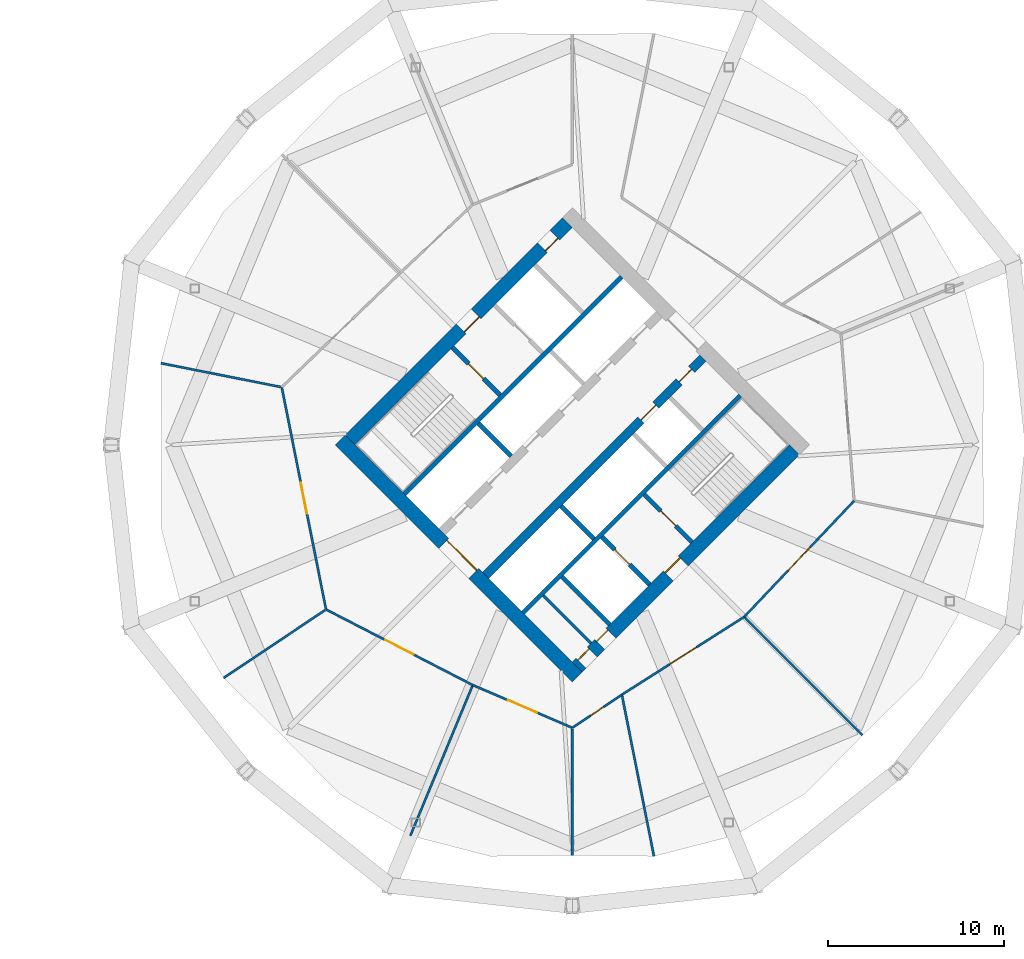
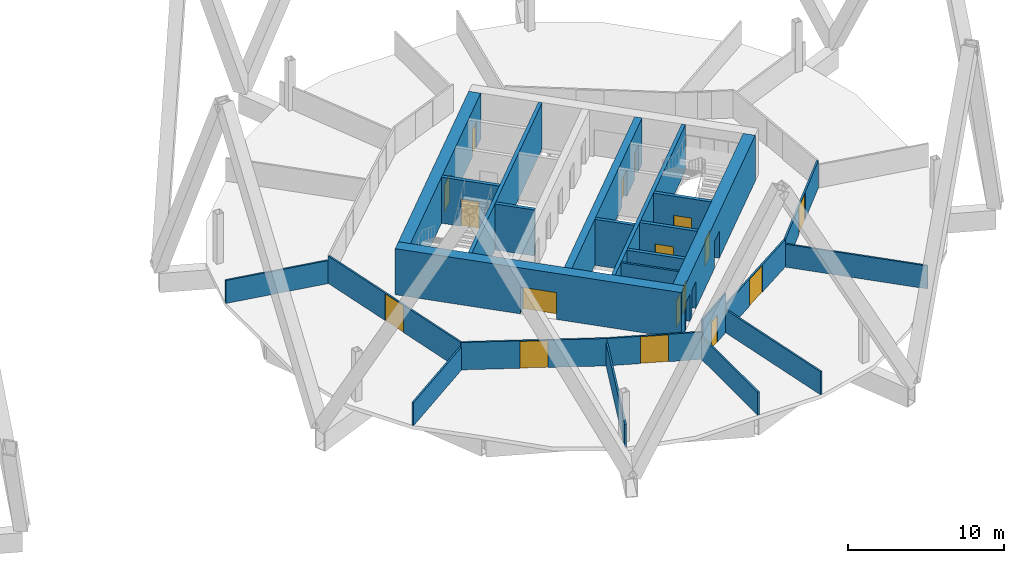
# One storey, part 6 of 9: 25 walls, 17 doors, 17 openings.
"""IFC4 building model written with IfcOpenShell, lengths in metres."""

from ifc_helpers import new_model, si_unit, direction, frame, frame_2d, origin, place, context, subcontext, project, spatial, rectangle, extrude, material, layer, layer_set, type_object, element, fill, save


model = new_model("IFC4")

# Units and contexts
model_context = context("Model", 3, precision=1e-05, world=origin(), true_north=direction((0.0, 1.0)))
body_context = subcontext(model_context, "Body", "Model", "MODEL_VIEW")
ifc_project = project(units=[si_unit("LENGTHUNIT", "METRE"), si_unit("AREAUNIT", "SQUARE_METRE"), si_unit("VOLUMEUNIT", "CUBIC_METRE"), si_unit("PLANEANGLEUNIT", "RADIAN"), si_unit("MASSUNIT", "GRAM", prefix="KILO")], contexts=[model_context])

# Site, building, storey
site_placement = place(None, origin())
site = spatial("IfcSite", under=ifc_project, at=site_placement, CompositionType="ELEMENT")
building_placement = place(site_placement, origin())
building = spatial("IfcBuilding", under=site, at=building_placement, Name="Ogive Gate Towers", CompositionType="ELEMENT")
storey_placement = place(building_placement, frame((0.0, 0.0, 95.699951171875)))
storey = spatial("IfcBuildingStorey", under=building, at=storey_placement, Name="L22", CompositionType="ELEMENT", Elevation=95.699951171875)

# Wall, openings, doors
ifc_material_1 = material(Name="Concrete C60/75", Category="concrete")
ifc_layer_1 = layer(ifc_material_1, 0.800048828125)
ifc_layer_set_1 = layer_set([ifc_layer_1], Name="Core wall 800 mm")
wall_type_1 = type_object("IfcWallType", Name="Core wall 800 mm", PredefinedType="SHEAR", material=ifc_layer_set_1)
wall_1_placement = place(storey_placement, frame((36.28271484375, -12.58642578125, 0.0), z_axis=(0.0, 0.0, 1.0), x_axis=(0.707106781187, 0.707106781187, 0.0)))
wall_1 = element("IfcWall", 1, at=wall_1_placement, inside=storey, type_object=wall_type_1, Name="T2 L22 Core wall 800 mm", PredefinedType="SHEAR", context=body_context, shape_type="SweptSolid", body=[
    extrude(rectangle(XDim=17.400146484375, YDim=0.800048828125, at=frame_2d((8.7001953125, 0.0))), origin(), (0.0, 0.0, 1.0), 3.60009765625),
])
opening_1_placement = place(wall_1_placement, frame((7.300048828125, 0.0, 0.0)))
opening_1 = element("IfcOpeningElement", 2, at=opening_1_placement, cuts=wall_1, Name="Opening KD-T2-L22-16", PredefinedType="OPENING", context=body_context, shape_type="SweptSolid", body=[
    extrude(rectangle(XDim=1.199951171875, YDim=2.10009765625, at=frame_2d((0.60009765625, 1.050048828125))), frame((0.0, 0.41015625, 0.0), z_axis=(0.0, -1.0, 0.0), x_axis=(1.0, 0.0, 0.0)), (0.0, 0.0, 1.0), 0.820068359375),
])
opening_2_placement = place(wall_1_placement, frame((0.300048828125, 0.0, 0.0)))
opening_2 = element("IfcOpeningElement", 3, at=opening_2_placement, cuts=wall_1, Name="Opening KD-T2-L22-18", PredefinedType="OPENING", context=body_context, shape_type="SweptSolid", body=[
    extrude(rectangle(XDim=0.89990234375, YDim=2.10009765625, at=frame_2d((0.449951171875, 1.050048828125))), frame((0.0, 0.41015625, 0.0), z_axis=(0.0, -1.0, 0.0), x_axis=(1.0, 0.0, 0.0)), (0.0, 0.0, 1.0), 0.820068359375),
])
opening_3_placement = place(wall_1_placement, frame((1.800048828125, 0.0, 0.0)))
opening_3 = element("IfcOpeningElement", 4, at=opening_3_placement, cuts=wall_1, Name="Opening KD-T2-L22-19", PredefinedType="OPENING", context=body_context, shape_type="SweptSolid", body=[
    extrude(rectangle(XDim=0.89990234375, YDim=2.10009765625, at=frame_2d((0.449951171875, 1.050048828125))), frame((0.0, 0.41015625, 0.0), z_axis=(0.0, -1.0, 0.0), x_axis=(1.0, 0.0, 0.0)), (0.0, 0.0, 1.0), 0.820068359375),
])
ifc_material_2 = material(Name="Timber door", Category="wood")
door_type_1 = type_object("IfcDoorType", Name="Core WC door 900 x 2100", OperationType="NOTDEFINED", PredefinedType="DOOR", material=ifc_material_2)
door_1_placement = place(opening_2_placement, origin())
door_1 = element("IfcDoor", 5, at=door_1_placement, inside=storey, type_object=door_type_1, Name="T2 L22 Core door", OperationType="SINGLE_SWING_LEFT", OverallHeight=2.10009765625, OverallWidth=0.89990234375, PredefinedType="DOOR", context=body_context, shape_type="SweptSolid", body=[
    extrude(rectangle(XDim=0.89990234375, YDim=2.10009765625, at=frame_2d((0.449951171875, 1.050048828125))), frame((0.0, 0.27490234375, 0.0), z_axis=(0.0, -1.0, 0.0), x_axis=(1.0, 0.0, 0.0)), (0.0, 0.0, 1.0), 0.050048828125),
])
fill(opening_2, door_1)
door_2_placement = place(opening_3_placement, origin())
door_2 = element("IfcDoor", 6, at=door_2_placement, inside=storey, type_object=door_type_1, Name="T2 L22 Core door", OperationType="SINGLE_SWING_RIGHT", OverallHeight=2.10009765625, OverallWidth=0.89990234375, PredefinedType="DOOR", context=body_context, shape_type="SweptSolid", body=[
    extrude(rectangle(XDim=0.89990234375, YDim=2.10009765625, at=frame_2d((0.449951171875, 1.050048828125))), frame((0.0, 0.27490234375, 0.0), z_axis=(0.0, -1.0, 0.0), x_axis=(1.0, 0.0, 0.0)), (0.0, 0.0, 1.0), 0.050048828125),
])
fill(opening_3, door_2)
ifc_material_3 = material(Name="Steel fire door", Category="steel")
door_type_2 = type_object("IfcDoorType", Name="Core door FD60S 1200 x 2100", OperationType="NOTDEFINED", PredefinedType="DOOR", material=ifc_material_3)
door_3_placement = place(opening_1_placement, origin())
door_3 = element("IfcDoor", 7, at=door_3_placement, inside=storey, type_object=door_type_2, Name="T2 L22 Fire-fighting lobby door", OperationType="SINGLE_SWING_LEFT", OverallHeight=2.10009765625, OverallWidth=1.199951171875, PredefinedType="DOOR", context=body_context, shape_type="SweptSolid", body=[
    extrude(rectangle(XDim=1.199951171875, YDim=2.10009765625, at=frame_2d((0.60009765625, 1.050048828125))), frame((0.0, 0.27490234375, 0.0), z_axis=(0.0, -1.0, 0.0), x_axis=(1.0, 0.0, 0.0)), (0.0, 0.0, 1.0), 0.050048828125),
])
fill(opening_1, door_3)

wall_2_placement = place(storey_placement, frame((23.41357421875, 0.28271484375, 0.0), z_axis=(0.0, 0.0, 1.0), x_axis=(0.707106781187, 0.707106781187, 0.0)))
wall_2 = element("IfcWall", 8, at=wall_2_placement, inside=storey, type_object=wall_type_1, Name="T2 L22 Core wall 800 mm", PredefinedType="SHEAR", context=body_context, shape_type="SweptSolid", body=[
    extrude(rectangle(XDim=17.400146484375, YDim=0.800048828125, at=frame_2d((8.7001953125, 0.0))), origin(), (0.0, 0.0, 1.0), 3.60009765625),
])
opening_4_placement = place(wall_2_placement, frame((8.89990234375, 0.0, 0.0)))
opening_4 = element("IfcOpeningElement", 9, at=opening_4_placement, cuts=wall_2, Name="Opening KD-T2-L22-15", PredefinedType="OPENING", context=body_context, shape_type="SweptSolid", body=[
    extrude(rectangle(XDim=1.199951171875, YDim=2.10009765625, at=frame_2d((0.60009765625, 1.050048828125))), frame((0.0, 0.41015625, 0.0), z_axis=(0.0, -1.0, 0.0), x_axis=(1.0, 0.0, 0.0)), (0.0, 0.0, 1.0), 0.820068359375),
])
opening_5_placement = place(wall_2_placement, frame((15.39990234375, 0.0, 0.0)))
opening_5 = element("IfcOpeningElement", 10, at=opening_5_placement, cuts=wall_2, Name="Opening KD-T2-L22-17", PredefinedType="OPENING", context=body_context, shape_type="SweptSolid", body=[
    extrude(rectangle(XDim=1.0, YDim=2.10009765625, at=frame_2d((0.5, 1.050048828125))), frame((0.0, 0.41015625, 0.0), z_axis=(0.0, -1.0, 0.0), x_axis=(1.0, 0.0, 0.0)), (0.0, 0.0, 1.0), 0.820068359375),
])
door_type_3 = type_object("IfcDoorType", Name="Accessible WC door 1000 x 2100", OperationType="NOTDEFINED", PredefinedType="DOOR", material=ifc_material_2)
door_4_placement = place(opening_5_placement, origin())
door_4 = element("IfcDoor", 11, at=door_4_placement, inside=storey, type_object=door_type_3, Name="T2 L22 Core door", OperationType="SINGLE_SWING_RIGHT", OverallHeight=2.10009765625, OverallWidth=1.0, PredefinedType="DOOR", context=body_context, shape_type="SweptSolid", body=[
    extrude(rectangle(XDim=1.0, YDim=2.10009765625, at=frame_2d((0.5, 1.050048828125))), frame((0.0, -0.22509765625, 0.0), z_axis=(0.0, -1.0, 0.0), x_axis=(1.0, 0.0, 0.0)), (0.0, 0.0, 1.0), 0.050048828125),
])
fill(opening_5, door_4)
door_5_placement = place(opening_4_placement, origin())
door_5 = element("IfcDoor", 12, at=door_5_placement, inside=storey, type_object=door_type_2, Name="T2 L22 Fire-fighting lobby door", OperationType="SINGLE_SWING_RIGHT", OverallHeight=2.10009765625, OverallWidth=1.199951171875, PredefinedType="DOOR", context=body_context, shape_type="SweptSolid", body=[
    extrude(rectangle(XDim=1.199951171875, YDim=2.10009765625, at=frame_2d((0.60009765625, 1.050048828125))), frame((0.0, -0.22509765625, 0.0), z_axis=(0.0, -1.0, 0.0), x_axis=(1.0, 0.0, 0.0)), (0.0, 0.0, 1.0), 0.050048828125),
])
fill(opening_4, door_5)

# Wall, opening, door
wall_3_placement = place(storey_placement, frame((36.28271484375, -13.152099609375, 0.0), z_axis=(0.0, 0.0, 1.0), x_axis=(-0.707106781187, 0.707106781187, 0.0)))
wall_3 = element("IfcWall", 13, at=wall_3_placement, inside=storey, type_object=wall_type_1, Name="T2 L22 Core wall 800 mm", PredefinedType="SHEAR", context=body_context, shape_type="SweptSolid", body=[
    extrude(rectangle(XDim=18.999755859375, YDim=0.800048828125, at=frame_2d((9.5, 0.0))), origin(), (0.0, 0.0, 1.0), 3.60009765625),
])
opening_6_placement = place(wall_3_placement, frame((8.300048828125, 0.0, 0.0)))
opening_6 = element("IfcOpeningElement", 14, at=opening_6_placement, cuts=wall_3, Name="Opening KD-T2-L22-01", PredefinedType="OPENING", context=body_context, shape_type="SweptSolid", body=[
    extrude(rectangle(XDim=2.39990234375, YDim=2.10009765625, at=frame_2d((1.199951171875, 1.050048828125))), frame((0.0, 0.41015625, 0.0), z_axis=(0.0, -1.0, 0.0), x_axis=(1.0, 0.0, 0.0)), (0.0, 0.0, 1.0), 0.820068359375),
])
door_type_4 = type_object("IfcDoorType", Name="Core double door FD60S 2400 x 2100", OperationType="DOUBLE_DOOR_SINGLE_SWING", PredefinedType="DOOR", material=ifc_material_3)
door_6_placement = place(opening_6_placement, origin())
door_6 = element("IfcDoor", 15, at=door_6_placement, inside=storey, type_object=door_type_4, Name="T2 L22 Core door double", OperationType="DOUBLE_DOOR_SINGLE_SWING", OverallHeight=2.10009765625, OverallWidth=2.39990234375, PredefinedType="DOOR", context=body_context, shape_type="SweptSolid", body=[
    extrude(rectangle(XDim=2.39990234375, YDim=2.10009765625, at=frame_2d((1.199951171875, 1.050048828125))), frame((0.0, -0.22509765625, 0.0), z_axis=(0.0, -1.0, 0.0), x_axis=(1.0, 0.0, 0.0)), (0.0, 0.0, 1.0), 0.050048828125),
])
fill(opening_6, door_6)

# Walls
ifc_material_4 = material(Name="Gypsum board partition")
ifc_layer_2 = layer(ifc_material_4, 0.125)
ifc_layer_set_2 = layer_set([ifc_layer_2], Name="Partition 125")
wall_type_2 = type_object("IfcWallType", Name="Partition 125", PredefinedType="PARTITIONING", material=ifc_layer_set_2)
for number, where, z_axis, x_axis, name in (
    (16, (12.685791015625, 4.6298828125, 0.0), (0.0, 0.0, 1.0), (0.980846885712, -0.194780355243, 0.0), "Partition T2-L22-007"),
    (17, (16.240478515625, -13.2119140625, 0.0), (0.0, 0.0, 1.0), (0.831301056765, 0.555822411406, 0.0), "Partition T2-L22-008"),
):
    element("IfcWall", number, at=place(storey_placement, frame(where, z_axis=z_axis, x_axis=x_axis)), inside=storey, type_object=wall_type_2, Name=name, PredefinedType="PARTITIONING", context=body_context, shape_type="SweptSolid", body=[
        extrude(rectangle(XDim=6.925048828125, YDim=0.125, at=frame_2d((3.46240234375, 0.0))), origin(), (0.0, 0.0, 1.0), 1.800048828125),
    ])
wall_4_placement = place(storey_placement, frame((26.8271484375, -22.1455078125, 0.0), z_axis=(0.0, 0.0, 1.0), x_axis=(0.382685496895, 0.923878677352, 0.0)))
element("IfcWall", 18, at=wall_4_placement, inside=storey, type_object=wall_type_2, Name="Partition T2-L22-009", PredefinedType="PARTITIONING", context=body_context, shape_type="SweptSolid", body=[
    extrude(rectangle(XDim=9.17529296875, YDim=0.125, at=frame_2d((4.587646484375, 0.0))), origin(), (0.0, 0.0, 1.0), 1.800048828125),
])
wall_5_placement = place(storey_placement, frame((36.0, -23.26904296875, 0.0), z_axis=(0.0, 0.0, 1.0), x_axis=(0.0, 1.0, 0.0)))
element("IfcWall", 19, at=wall_5_placement, inside=storey, type_object=wall_type_2, Name="Partition T2-L22-010", PredefinedType="PARTITIONING", context=body_context, shape_type="SweptSolid", body=[
    extrude(rectangle(XDim=7.176513671875, YDim=0.125, at=frame_2d((3.58837890625, 0.0))), origin(), (0.0, 0.0, 1.0), 1.800048828125),
])
wall_6_placement = place(storey_placement, frame((40.6298828125, -23.314208984375, 0.0), z_axis=(0.0, 0.0, 1.0), x_axis=(-0.194784655939, 0.980846031654, 0.0)))
element("IfcWall", 20, at=wall_6_placement, inside=storey, type_object=wall_type_2, Name="Partition T2-L22-011", PredefinedType="PARTITIONING", context=body_context, shape_type="SweptSolid", body=[
    extrude(rectangle(XDim=9.275146484375, YDim=0.125, at=frame_2d((4.6376953125, 0.0))), origin(), (0.0, 0.0, 1.0), 1.800048828125),
])
wall_7_placement = place(storey_placement, frame((52.45361328125, -16.45361328125, 0.0), z_axis=(0.0, 0.0, 1.0), x_axis=(-0.707106781187, 0.707106781187, 0.0)))
element("IfcWall", 21, at=wall_7_placement, inside=storey, type_object=wall_type_2, Name="Partition T2-L22-012", PredefinedType="PARTITIONING", context=body_context, shape_type="SweptSolid", body=[
    extrude(rectangle(XDim=9.425048828125, YDim=0.125, at=frame_2d((4.71240234375, 0.0))), origin(), (0.0, 0.0, 1.0), 1.800048828125),
])

# Wall, opening, door
wall_8_placement = place(storey_placement, frame((19.53955078125, 3.268798828125, 0.0), z_axis=(0.0, 0.0, 1.0), x_axis=(0.195399636952, -0.980723703129, 0.0)))
wall_8 = element("IfcWall", 22, at=wall_8_placement, inside=storey, type_object=wall_type_2, Name="Partition T2-L22-017", PredefinedType="PARTITIONING", context=body_context, shape_type="SweptSolid", body=[
    extrude(rectangle(XDim=12.84423828125, YDim=0.125, at=frame_2d((6.422119140625, 0.0))), origin(), (0.0, 0.0, 1.0), 2.14013671875),
])
opening_7_placement = place(wall_8_placement, frame((5.52197265625, 0.0, 0.0)))
opening_7 = element("IfcOpeningElement", 23, at=opening_7_placement, cuts=wall_8, Name="Opening T2-L22-D04", PredefinedType="OPENING", context=body_context, shape_type="SweptSolid", body=[
    extrude(rectangle(XDim=1.800048828125, YDim=2.10009765625, at=frame_2d((0.89990234375, 1.050048828125))), frame((0.0, 0.072509765625, 0.0), z_axis=(0.0, -1.0, 0.0), x_axis=(1.0, 0.0, 0.0)), (0.0, 0.0, 1.0), 0.14501953125),
])
door_type_5 = type_object("IfcDoorType", Name="Door pair 1800", OperationType="NOTDEFINED", PredefinedType="DOOR", material=ifc_material_2)
door_7_placement = place(opening_7_placement, origin())
door_7 = element("IfcDoor", 24, at=door_7_placement, inside=storey, type_object=door_type_5, Name="Door T2-L22-D04", OperationType="DOUBLE_DOOR_DOUBLE_SWING", OverallHeight=2.10009765625, OverallWidth=1.800048828125, PredefinedType="DOOR", context=body_context, shape_type="SweptSolid", body=[
    extrude(rectangle(XDim=1.800048828125, YDim=2.10009765625, at=frame_2d((0.89990234375, 1.050048828125))), frame((0.0, 0.02490234375, 0.0), z_axis=(0.0, -1.0, 0.0), x_axis=(1.0, 0.0, 0.0)), (0.0, 0.0, 1.0), 0.050048828125),
])
fill(opening_7, door_7)

wall_9_placement = place(storey_placement, frame((22.04931640625, -9.327880859375, 0.0), z_axis=(0.0, 0.0, 1.0), x_axis=(0.888952331998, -0.457999728641, 0.0)))
wall_9 = element("IfcWall", 25, at=wall_9_placement, inside=storey, type_object=wall_type_2, Name="Partition T2-L22-018", PredefinedType="PARTITIONING", context=body_context, shape_type="SweptSolid", body=[
    extrude(rectangle(XDim=9.3515625, YDim=0.125, at=frame_2d((4.67578125, 0.0))), origin(), (0.0, 0.0, 1.0), 2.14013671875),
])
opening_8_placement = place(wall_9_placement, frame((3.77587890625, 0.0, 0.0)))
opening_8 = element("IfcOpeningElement", 26, at=opening_8_placement, cuts=wall_9, Name="Opening T2-L22-D05", PredefinedType="OPENING", context=body_context, shape_type="SweptSolid", body=[
    extrude(rectangle(XDim=1.800048828125, YDim=2.10009765625, at=frame_2d((0.89990234375, 1.050048828125))), frame((0.0, 0.072509765625, 0.0), z_axis=(0.0, -1.0, 0.0), x_axis=(1.0, 0.0, 0.0)), (0.0, 0.0, 1.0), 0.14501953125),
])
door_8_placement = place(opening_8_placement, origin())
door_8 = element("IfcDoor", 27, at=door_8_placement, inside=storey, type_object=door_type_5, Name="Door T2-L22-D05", OperationType="DOUBLE_DOOR_DOUBLE_SWING", OverallHeight=2.10009765625, OverallWidth=1.800048828125, PredefinedType="DOOR", context=body_context, shape_type="SweptSolid", body=[
    extrude(rectangle(XDim=1.800048828125, YDim=2.10009765625, at=frame_2d((0.89990234375, 1.050048828125))), frame((0.0, 0.02490234375, 0.0), z_axis=(0.0, -1.0, 0.0), x_axis=(1.0, 0.0, 0.0)), (0.0, 0.0, 1.0), 0.050048828125),
])
fill(opening_8, door_8)

wall_10_placement = place(storey_placement, frame((30.3623046875, -13.61083984375, 0.0), z_axis=(0.0, 0.0, 1.0), x_axis=(0.918965853695, -0.394337114337, 0.0)))
wall_10 = element("IfcWall", 28, at=wall_10_placement, inside=storey, type_object=wall_type_2, Name="Partition T2-L22-019", PredefinedType="PARTITIONING", context=body_context, shape_type="SweptSolid", body=[
    extrude(rectangle(XDim=6.134765625, YDim=0.125, at=frame_2d((3.0673828125, 0.0))), origin(), (0.0, 0.0, 1.0), 2.14013671875),
])
opening_9_placement = place(wall_10_placement, frame((2.1669921875, 0.0, 0.0)))
opening_9 = element("IfcOpeningElement", 29, at=opening_9_placement, cuts=wall_10, Name="Opening T2-L22-D06", PredefinedType="OPENING", context=body_context, shape_type="SweptSolid", body=[
    extrude(rectangle(XDim=1.800048828125, YDim=2.10009765625, at=frame_2d((0.89990234375, 1.050048828125))), frame((0.0, 0.072509765625, 0.0), z_axis=(0.0, -1.0, 0.0), x_axis=(1.0, 0.0, 0.0)), (0.0, 0.0, 1.0), 0.14501953125),
])
door_9_placement = place(opening_9_placement, origin())
door_9 = element("IfcDoor", 30, at=door_9_placement, inside=storey, type_object=door_type_5, Name="Door T2-L22-D06", OperationType="DOUBLE_DOOR_DOUBLE_SWING", OverallHeight=2.10009765625, OverallWidth=1.800048828125, PredefinedType="DOOR", context=body_context, shape_type="SweptSolid", body=[
    extrude(rectangle(XDim=1.800048828125, YDim=2.10009765625, at=frame_2d((0.89990234375, 1.050048828125))), frame((0.0, 0.02490234375, 0.0), z_axis=(0.0, -1.0, 0.0), x_axis=(1.0, 0.0, 0.0)), (0.0, 0.0, 1.0), 0.050048828125),
])
fill(opening_9, door_9)

wall_11_placement = place(storey_placement, frame((36.0, -16.030029296875, 0.0), z_axis=(0.0, 0.0, 1.0), x_axis=(0.831983588231, 0.554800242352, 0.0)))
wall_11 = element("IfcWall", 31, at=wall_11_placement, inside=storey, type_object=wall_type_2, Name="Partition T2-L22-020", PredefinedType="PARTITIONING", context=body_context, shape_type="SweptSolid", body=[
    extrude(rectangle(XDim=3.378662109375, YDim=0.125, at=frame_2d((1.689453125, 0.0))), origin(), (0.0, 0.0, 1.0), 3.050048828125),
])
opening_10_placement = place(wall_11_placement, frame((1.239013671875, 0.0, 0.0)))
opening_10 = element("IfcOpeningElement", 32, at=opening_10_placement, cuts=wall_11, Name="Opening T2-L22-D07", PredefinedType="OPENING", context=body_context, shape_type="SweptSolid", body=[
    extrude(rectangle(XDim=0.89990234375, YDim=2.10009765625, at=frame_2d((0.449951171875, 1.050048828125))), frame((0.0, 0.072509765625, 0.0), z_axis=(0.0, -1.0, 0.0), x_axis=(1.0, 0.0, 0.0)), (0.0, 0.0, 1.0), 0.14501953125),
])
door_type_6 = type_object("IfcDoorType", Name="Door 900", OperationType="NOTDEFINED", PredefinedType="DOOR", material=ifc_material_2)
door_10_placement = place(opening_10_placement, origin())
door_10 = element("IfcDoor", 33, at=door_10_placement, inside=storey, type_object=door_type_6, Name="Door T2-L22-D07", OperationType="SINGLE_SWING_RIGHT", OverallHeight=2.10009765625, OverallWidth=0.89990234375, PredefinedType="DOOR", context=body_context, shape_type="SweptSolid", body=[
    extrude(rectangle(XDim=0.89990234375, YDim=2.10009765625, at=frame_2d((0.449951171875, 1.050048828125))), frame((0.0, 0.02490234375, 0.0), z_axis=(0.0, -1.0, 0.0), x_axis=(1.0, 0.0, 0.0)), (0.0, 0.0, 1.0), 0.050048828125),
])
fill(opening_10, door_10)

wall_12_placement = place(storey_placement, frame((38.81103515625, -14.155517578125, 0.0), z_axis=(0.0, 0.0, 1.0), x_axis=(0.843760561058, 0.536719773814, 0.0)))
wall_12 = element("IfcWall", 34, at=wall_12_placement, inside=storey, type_object=wall_type_2, Name="Partition T2-L22-021", PredefinedType="PARTITIONING", context=body_context, shape_type="SweptSolid", body=[
    extrude(rectangle(XDim=8.2177734375, YDim=0.125, at=frame_2d((4.10888671875, 0.0))), origin(), (0.0, 0.0, 1.0), 2.14013671875),
])
opening_11_placement = place(wall_12_placement, frame((3.208984375, 0.0, 0.0)))
opening_11 = element("IfcOpeningElement", 35, at=opening_11_placement, cuts=wall_12, Name="Opening T2-L22-D08", PredefinedType="OPENING", context=body_context, shape_type="SweptSolid", body=[
    extrude(rectangle(XDim=1.800048828125, YDim=2.10009765625, at=frame_2d((0.89990234375, 1.050048828125))), frame((0.0, 0.072509765625, 0.0), z_axis=(0.0, -1.0, 0.0), x_axis=(1.0, 0.0, 0.0)), (0.0, 0.0, 1.0), 0.14501953125),
])
door_11_placement = place(opening_11_placement, origin())
door_11 = element("IfcDoor", 36, at=door_11_placement, inside=storey, type_object=door_type_5, Name="Door T2-L22-D08", OperationType="DOUBLE_DOOR_DOUBLE_SWING", OverallHeight=2.10009765625, OverallWidth=1.800048828125, PredefinedType="DOOR", context=body_context, shape_type="SweptSolid", body=[
    extrude(rectangle(XDim=1.800048828125, YDim=2.10009765625, at=frame_2d((0.89990234375, 1.050048828125))), frame((0.0, 0.02490234375, 0.0), z_axis=(0.0, -1.0, 0.0), x_axis=(1.0, 0.0, 0.0)), (0.0, 0.0, 1.0), 0.050048828125),
])
fill(opening_11, door_11)

wall_13_placement = place(storey_placement, frame((45.744873046875, -9.744873046875, 0.0), z_axis=(0.0, 0.0, 1.0), x_axis=(0.687604013042, 0.726085891096, 0.0)))
wall_13 = element("IfcWall", 37, at=wall_13_placement, inside=storey, type_object=wall_type_2, Name="Partition T2-L22-022", PredefinedType="PARTITIONING", context=body_context, shape_type="SweptSolid", body=[
    extrude(rectangle(XDim=9.05322265625, YDim=0.125, at=frame_2d((4.526611328125, 0.0))), origin(), (0.0, 0.0, 1.0), 2.14013671875),
])
opening_12_placement = place(wall_13_placement, frame((3.626953125, 0.0, 0.0)))
opening_12 = element("IfcOpeningElement", 38, at=opening_12_placement, cuts=wall_13, Name="Opening T2-L22-D09", PredefinedType="OPENING", context=body_context, shape_type="SweptSolid", body=[
    extrude(rectangle(XDim=1.800048828125, YDim=2.10009765625, at=frame_2d((0.89990234375, 1.050048828125))), frame((0.0, 0.072509765625, 0.0), z_axis=(0.0, -1.0, 0.0), x_axis=(1.0, 0.0, 0.0)), (0.0, 0.0, 1.0), 0.14501953125),
])
door_12_placement = place(opening_12_placement, origin())
door_12 = element("IfcDoor", 39, at=door_12_placement, inside=storey, type_object=door_type_5, Name="Door T2-L22-D09", OperationType="DOUBLE_DOOR_DOUBLE_SWING", OverallHeight=2.10009765625, OverallWidth=1.800048828125, PredefinedType="DOOR", context=body_context, shape_type="SweptSolid", body=[
    extrude(rectangle(XDim=1.800048828125, YDim=2.10009765625, at=frame_2d((0.89990234375, 1.050048828125))), frame((0.0, 0.02490234375, 0.0), z_axis=(0.0, -1.0, 0.0), x_axis=(1.0, 0.0, 0.0)), (0.0, 0.0, 1.0), 0.050048828125),
])
fill(opening_12, door_12)

# Walls
ifc_layer_3 = layer(ifc_material_4, 0.14990234375)
ifc_layer_set_3 = layer_set([ifc_layer_3], Name="Room partition 150 mm")
wall_type_3 = type_object("IfcWallType", Name="Room partition 150 mm", PredefinedType="PARTITIONING", material=ifc_layer_set_3)
wall_14_placement = place(storey_placement, frame((37.060791015625, -11.242919921875, 0.0), z_axis=(0.0, 0.0, 1.0), x_axis=(-0.707138693938, 0.707074866995, 0.0)))
element("IfcWall", 40, at=wall_14_placement, inside=storey, type_object=wall_type_3, Name="T2 L22 Room partition 150 mm", PredefinedType="PARTITIONING", context=body_context, shape_type="SweptSolid", body=[
    extrude(rectangle(XDim=3.824951171875, YDim=0.14990234375, at=frame_2d((1.91259765625, 0.0))), origin(), (0.0, 0.0, 1.0), 3.60009765625),
])
ifc_layer_4 = layer(ifc_material_1, 0.25)
ifc_layer_set_4 = layer_set([ifc_layer_4], Name="Shaft wall 250 mm")
wall_type_4 = type_object("IfcWallType", Name="Shaft wall 250 mm", PredefinedType="SHEAR", material=ifc_layer_set_4)
for number, where, z_axis, x_axis, name in (
    (41, (33.206787109375, -9.510498046875, 0.0), (0.0, 0.0, 1.0), (0.707106781187, 0.707106781187, 0.0), "T2 L22 Shaft wall 250 mm"),
    (42, (26.489501953125, -2.793212890625, 0.0), (0.0, 0.0, 1.0), (0.707106781187, 0.707106781187, 0.0), "T2 L22 Shaft wall 250 mm"),
):
    element("IfcWall", number, at=place(storey_placement, frame(where, z_axis=z_axis, x_axis=x_axis)), inside=storey, type_object=wall_type_4, Name=name, PredefinedType="SHEAR", context=body_context, shape_type="SweptSolid", body=[
        extrude(rectangle(XDim=17.400146484375, YDim=0.25, at=frame_2d((8.7001953125, 0.0))), origin(), (0.0, 0.0, 1.0), 3.60009765625),
    ])
wall_15_placement = place(storey_placement, frame((38.121337890625, -10.182373046875, 0.0), z_axis=(0.0, 0.0, 1.0), x_axis=(-0.707138693938, 0.707074866995, 0.0)))
element("IfcWall", 43, at=wall_15_placement, inside=storey, type_object=wall_type_4, Name="T2 L22 Shaft wall 250 mm", PredefinedType="SHEAR", context=body_context, shape_type="SweptSolid", body=[
    extrude(rectangle(XDim=3.824951171875, YDim=0.25, at=frame_2d((1.91259765625, 0.0))), origin(), (0.0, 0.0, 1.0), 3.60009765625),
])
for number, where, z_axis, x_axis, name in (
    (44, (37.2197265625, -5.321044921875, 0.0), (0.0, 0.0, 1.0), (-0.707106781187, 0.707106781187, 0.0), "T2 L22 Shaft wall 250 mm"),
    (45, (32.53515625, -0.636474609375, 0.0), (0.0, 0.0, 1.0), (-0.707106781187, 0.707106781187, 0.0), "T2 L22 Shaft wall 250 mm"),
):
    element("IfcWall", number, at=place(storey_placement, frame(where, z_axis=z_axis, x_axis=x_axis)), inside=storey, type_object=wall_type_4, Name=name, PredefinedType="SHEAR", context=body_context, shape_type="SweptSolid", body=[
        extrude(rectangle(XDim=2.625, YDim=0.25, at=frame_2d((1.3125, 0.0))), origin(), (0.0, 0.0, 1.0), 3.60009765625),
    ])

# Wall, opening, door
wall_16_placement = place(storey_placement, frame((40.384033203125, -7.919677734375, 0.0), z_axis=(0.0, 0.0, 1.0), x_axis=(-0.707074866995, 0.707138693938, 0.0)))
wall_16 = element("IfcWall", 46, at=wall_16_placement, inside=storey, type_object=wall_type_4, Name="T2 L22 Shaft wall 250 mm", PredefinedType="SHEAR", context=body_context, shape_type="SweptSolid", body=[
    extrude(rectangle(XDim=3.824951171875, YDim=0.25, at=frame_2d((1.91259765625, 0.0))), origin(), (0.0, 0.0, 1.0), 3.60009765625),
])
opening_13_placement = place(wall_16_placement, frame((1.60009765625, 0.0, 0.0)))
opening_13 = element("IfcOpeningElement", 47, at=opening_13_placement, cuts=wall_16, Name="Opening LD-T2-L22-11", PredefinedType="OPENING", context=body_context, shape_type="SweptSolid", body=[
    extrude(rectangle(XDim=1.199951171875, YDim=2.10009765625, at=frame_2d((0.60009765625, 1.050048828125))), frame((0.0, 0.135009765625, 0.0), z_axis=(0.0, -1.0, 0.0), x_axis=(1.0, 0.0, 0.0)), (0.0, 0.0, 1.0), 0.27001953125),
])
ifc_material_5 = material(Name="Stainless steel landing door", Category="steel")
door_type_7 = type_object("IfcDoorType", Name="Landing door 1200 x 2100", OperationType="SLIDING_TO_LEFT", PredefinedType="DOOR", material=ifc_material_5)
door_13_placement = place(opening_13_placement, origin())
door_13 = element("IfcDoor", 48, at=door_13_placement, inside=storey, type_object=door_type_7, Name="T2 L22 Lift landing door FF2", OperationType="SLIDING_TO_LEFT", OverallHeight=2.10009765625, OverallWidth=1.199951171875, PredefinedType="DOOR", context=body_context, shape_type="SweptSolid", body=[
    extrude(rectangle(XDim=1.199951171875, YDim=2.10009765625, at=frame_2d((0.60009765625, 1.050048828125))), frame((0.0, 0.02490234375, 0.0), z_axis=(0.0, -1.0, 0.0), x_axis=(1.0, 0.0, 0.0)), (0.0, 0.0, 1.0), 0.050048828125),
])
fill(opening_13, door_13)

wall_17_placement = place(storey_placement, frame((31.91650390625, 2.810791015625, 0.0), z_axis=(0.0, 0.0, 1.0), x_axis=(-0.707106781187, 0.707106781187, 0.0)))
wall_17 = element("IfcWall", 49, at=wall_17_placement, inside=storey, type_object=wall_type_4, Name="T2 L22 Shaft wall 250 mm", PredefinedType="SHEAR", context=body_context, shape_type="SweptSolid", body=[
    extrude(rectangle(XDim=3.824951171875, YDim=0.25, at=frame_2d((1.91259765625, 0.0))), origin(), (0.0, 0.0, 1.0), 3.60009765625),
])
opening_14_placement = place(wall_17_placement, frame((1.324951171875, 0.0, 0.0)))
opening_14 = element("IfcOpeningElement", 50, at=opening_14_placement, cuts=wall_17, Name="Opening KD-T2-L22-13", PredefinedType="OPENING", context=body_context, shape_type="SweptSolid", body=[
    extrude(rectangle(XDim=1.199951171875, YDim=2.10009765625, at=frame_2d((0.60009765625, 1.050048828125))), frame((0.0, 0.135009765625, 0.0), z_axis=(0.0, -1.0, 0.0), x_axis=(1.0, 0.0, 0.0)), (0.0, 0.0, 1.0), 0.27001953125),
])
door_14_placement = place(opening_14_placement, origin())
door_14 = element("IfcDoor", 51, at=door_14_placement, inside=storey, type_object=door_type_2, Name="T2 L22 Stair door", OperationType="SINGLE_SWING_RIGHT", OverallHeight=2.10009765625, OverallWidth=1.199951171875, PredefinedType="DOOR", context=body_context, shape_type="SweptSolid", body=[
    extrude(rectangle(XDim=1.199951171875, YDim=2.10009765625, at=frame_2d((0.60009765625, 1.050048828125))), frame((0.0, 0.02490234375, 0.0), z_axis=(0.0, -1.0, 0.0), x_axis=(1.0, 0.0, 0.0)), (0.0, 0.0, 1.0), 0.050048828125),
])
fill(opening_14, door_14)

wall_18_placement = place(storey_placement, frame((42.7880859375, -5.515380859375, 0.0), z_axis=(0.0, 0.0, 1.0), x_axis=(-0.707106781187, 0.707106781187, 0.0)))
wall_18 = element("IfcWall", 52, at=wall_18_placement, inside=storey, type_object=wall_type_4, Name="T2 L22 Shaft wall 250 mm", PredefinedType="SHEAR", context=body_context, shape_type="SweptSolid", body=[
    extrude(rectangle(XDim=3.824951171875, YDim=0.25, at=frame_2d((1.91259765625, 0.0))), origin(), (0.0, 0.0, 1.0), 3.60009765625),
])
opening_15_placement = place(wall_18_placement, frame((1.300048828125, 0.0, 0.0)))
opening_15 = element("IfcOpeningElement", 53, at=opening_15_placement, cuts=wall_18, Name="Opening KD-T2-L22-14", PredefinedType="OPENING", context=body_context, shape_type="SweptSolid", body=[
    extrude(rectangle(XDim=1.199951171875, YDim=2.10009765625, at=frame_2d((0.60009765625, 1.050048828125))), frame((0.0, 0.135009765625, 0.0), z_axis=(0.0, -1.0, 0.0), x_axis=(1.0, 0.0, 0.0)), (0.0, 0.0, 1.0), 0.27001953125),
])
door_15_placement = place(opening_15_placement, origin())
door_15 = element("IfcDoor", 54, at=door_15_placement, inside=storey, type_object=door_type_2, Name="T2 L22 Stair door", OperationType="SINGLE_SWING_LEFT", OverallHeight=2.10009765625, OverallWidth=1.199951171875, PredefinedType="DOOR", context=body_context, shape_type="SweptSolid", body=[
    extrude(rectangle(XDim=1.199951171875, YDim=2.10009765625, at=frame_2d((0.60009765625, 1.050048828125))), frame((0.0, 0.02490234375, 0.0), z_axis=(0.0, -1.0, 0.0), x_axis=(1.0, 0.0, 0.0)), (0.0, 0.0, 1.0), 0.050048828125),
])
fill(opening_15, door_15)

# Wall, openings, doors
ifc_layer_5 = layer(ifc_material_1, 0.5)
ifc_layer_set_5 = layer_set([ifc_layer_5], Name="Spine wall 500 mm")
wall_type_5 = type_object("IfcWallType", Name="Spine wall 500 mm", PredefinedType="SHEAR", material=ifc_layer_set_5)
wall_19_placement = place(storey_placement, frame((31.085693359375, -7.389404296875, 0.0), z_axis=(0.0, 0.0, 1.0), x_axis=(0.707106781187, 0.707106781187, 0.0)))
wall_19 = element("IfcWall", 55, at=wall_19_placement, inside=storey, type_object=wall_type_5, Name="T2 L22 Spine wall 500 mm", PredefinedType="SHEAR", context=body_context, shape_type="SweptSolid", body=[
    extrude(rectangle(XDim=17.400146484375, YDim=0.5, at=frame_2d((8.7001953125, 0.0))), origin(), (0.0, 0.0, 1.0), 3.60009765625),
])
opening_16_placement = place(wall_19_placement, frame((12.449951171875, 0.0, 0.0)))
opening_16 = element("IfcOpeningElement", 56, at=opening_16_placement, cuts=wall_19, Name="Opening LD-T2-L22-09", PredefinedType="OPENING", context=body_context, shape_type="SweptSolid", body=[
    extrude(rectangle(XDim=1.199951171875, YDim=2.10009765625, at=frame_2d((0.60009765625, 1.050048828125))), frame((0.0, 0.260009765625, 0.0), z_axis=(0.0, -1.0, 0.0), x_axis=(1.0, 0.0, 0.0)), (0.0, 0.0, 1.0), 0.52001953125),
])
opening_17_placement = place(wall_19_placement, frame((15.5, 0.0, 0.0)))
opening_17 = element("IfcOpeningElement", 57, at=opening_17_placement, cuts=wall_19, Name="Opening KD-T2-L22-12", PredefinedType="OPENING", context=body_context, shape_type="SweptSolid", body=[
    extrude(rectangle(XDim=1.0, YDim=2.10009765625, at=frame_2d((0.5, 1.050048828125))), frame((0.0, 0.260009765625, 0.0), z_axis=(0.0, -1.0, 0.0), x_axis=(1.0, 0.0, 0.0)), (0.0, 0.0, 1.0), 0.52001953125),
])
door_type_8 = type_object("IfcDoorType", Name="Core door FD60S 1000 x 2100", OperationType="NOTDEFINED", PredefinedType="DOOR", material=ifc_material_3)
door_16_placement = place(opening_17_placement, origin())
door_16 = element("IfcDoor", 58, at=door_16_placement, inside=storey, type_object=door_type_8, Name="T2 L22 Core door", OperationType="SINGLE_SWING_LEFT", OverallHeight=2.10009765625, OverallWidth=1.0, PredefinedType="DOOR", context=body_context, shape_type="SweptSolid", body=[
    extrude(rectangle(XDim=1.0, YDim=2.10009765625, at=frame_2d((0.5, 1.050048828125))), frame((0.0, 0.02490234375, 0.0), z_axis=(0.0, -1.0, 0.0), x_axis=(1.0, 0.0, 0.0)), (0.0, 0.0, 1.0), 0.050048828125),
])
fill(opening_17, door_16)
door_17_placement = place(opening_16_placement, origin())
door_17 = element("IfcDoor", 59, at=door_17_placement, inside=storey, type_object=door_type_7, Name="T2 L22 Lift landing door SVC", OperationType="SLIDING_TO_LEFT", OverallHeight=2.10009765625, OverallWidth=1.199951171875, PredefinedType="DOOR", context=body_context, shape_type="SweptSolid", body=[
    extrude(rectangle(XDim=1.199951171875, YDim=2.10009765625, at=frame_2d((0.60009765625, 1.050048828125))), frame((0.0, 0.02490234375, 0.0), z_axis=(0.0, -1.0, 0.0), x_axis=(1.0, 0.0, 0.0)), (0.0, 0.0, 1.0), 0.050048828125),
])
fill(opening_16, door_17)

save(model, "model.ifc")
